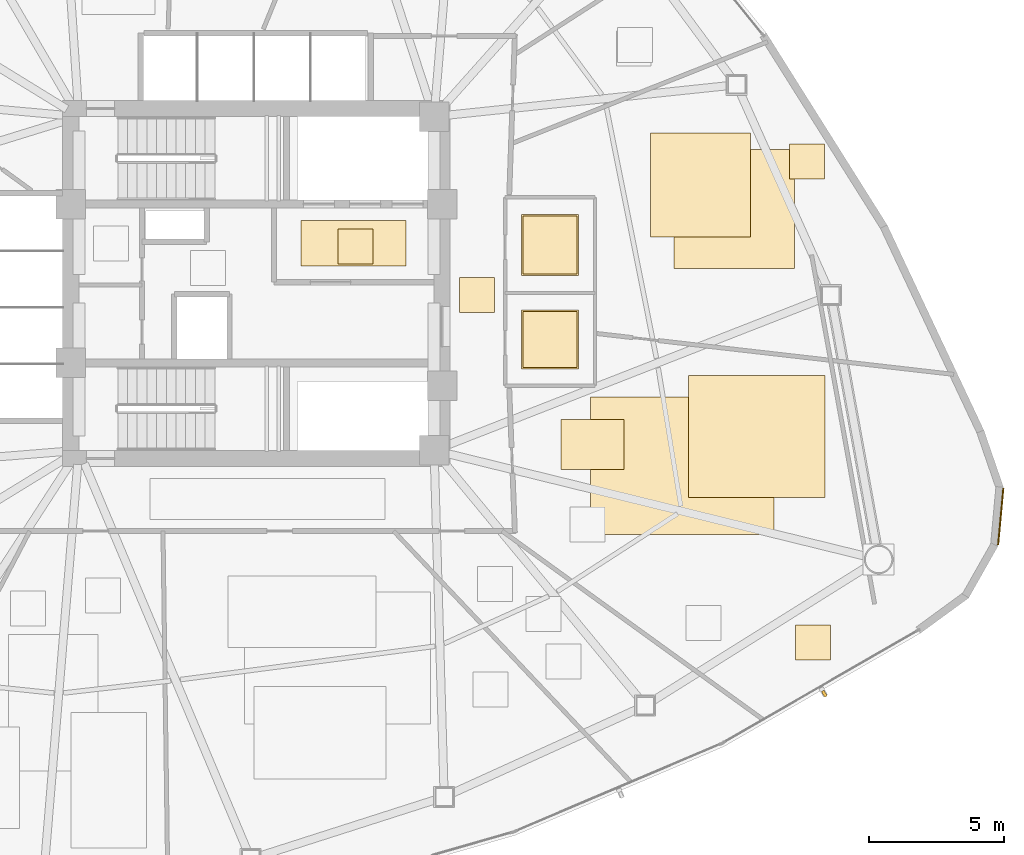
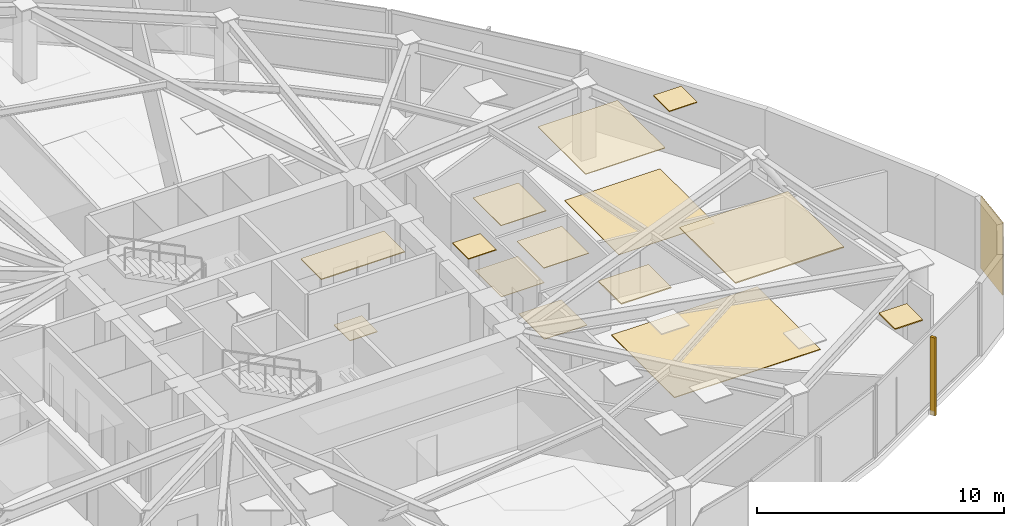
# One storey, part 16 of 17: 15 coverings, 1 shading device.
"""IFC4 building model written with IfcOpenShell, lengths in metres."""

from ifc_helpers import new_model, si_unit, direction, frame, origin, origin_2d, place, context, subcontext, project, spatial, polyline, rectangle, outline, extrude, source, transform, mapped, material, layer, layer_set, type_object, type_shapes, element, save


model = new_model("IFC4")

# Units and contexts
model_context = context("Model", 3, precision=1e-05, world=origin(), true_north=direction((0.0, 1.0)))
body_context = subcontext(model_context, "Body", "Model", "MODEL_VIEW")
ifc_project = project(units=[si_unit("LENGTHUNIT", "METRE"), si_unit("AREAUNIT", "SQUARE_METRE"), si_unit("VOLUMEUNIT", "CUBIC_METRE"), si_unit("PLANEANGLEUNIT", "RADIAN"), si_unit("MASSUNIT", "GRAM", prefix="KILO")], contexts=[model_context])

# Site, building, storey
site_placement = place(None, origin())
site = spatial("IfcSite", under=ifc_project, at=site_placement, CompositionType="ELEMENT")
building_placement = place(site_placement, origin())
building = spatial("IfcBuilding", under=site, at=building_placement, Name="Tavelor Broadcast Tower", CompositionType="ELEMENT")
storey_placement = place(building_placement, frame((0.0, 0.0, 78.300048828125)))
storey = spatial("IfcBuildingStorey", under=building, at=storey_placement, Name="L18", CompositionType="ELEMENT", Elevation=78.300048828125)

# Coverings
ifc_material_1 = material(Name="Copper-Bronze Anodized Aluminium", Category="aluminium")
ifc_layer_1 = layer(ifc_material_1, 0.044921875)
ifc_layer_set_1 = layer_set([ifc_layer_1], Name="Copper-Bronze Anodized Aluminium")
covering_type_1 = type_object("IfcCoveringType", Name="Anodised Bronze Linear Slatted Concourse Ceiling 45 mm", PredefinedType="CEILING", material=ifc_layer_set_1)
covering_1_placement = place(storey_placement, frame((0.0, 0.0, 3.554931640625)))
element("IfcCovering", 1, at=covering_1_placement, inside=storey, type_object=covering_type_1, Name="L18 Suspended Acoustic Ceiling 0733", PredefinedType="CEILING", context=body_context, shape_type="SweptSolid", body=[
    extrude(outline(polyline([(51.659912109375, 45.654296875), (55.55712890625, 45.654296875), (55.55712890625, 47.331787109375), (51.659912109375, 47.331787109375), (51.659912109375, 45.654296875)])), origin(), (0.0, 0.0, 1.0), 0.044921875),
])
covering_2_placement = place(storey_placement, frame((0.0, 0.0, 3.554931640625)))
element("IfcCovering", 2, at=covering_2_placement, inside=storey, type_object=covering_type_1, Name="L18 Suspended Acoustic Ceiling 0736", PredefinedType="CEILING", context=body_context, shape_type="SweptSolid", body=[
    extrude(outline(polyline([(57.5400390625, 43.925048828125), (58.840087890625, 43.925048828125), (58.840087890625, 45.22509765625), (57.5400390625, 45.22509765625), (57.5400390625, 43.925048828125)])), origin(), (0.0, 0.0, 1.0), 0.044921875),
])
ifc_layer_2 = layer(ifc_material_1, 0.050048828125)
ifc_layer_set_2 = layer_set([ifc_layer_2], Name="Copper-Bronze Anodized Aluminium")
covering_type_2 = type_object("IfcCoveringType", Name="Champagne-Bronze Corner Pier Metal Cladding 50 mm", PredefinedType="CLADDING", material=ifc_layer_set_2)
covering_3_placement = place(storey_placement, frame((77.654296875, 36.340087890625, 0.02001953125), z_axis=(0.0, 0.0, 1.0), x_axis=(0.091501618663, 0.995804927575, 0.0)))
element("IfcCovering", 3, at=covering_3_placement, inside=storey, type_object=covering_type_2, Name="L18 Champagne-Bronze Corner Cladding 23", PredefinedType="CLADDING", context=body_context, shape_type="SweptSolid", body=[
    extrude(rectangle(XDim=2.115234375, YDim=0.050048828125, at=origin_2d()), origin(), (0.0, 0.0, 1.0), 3.56005859375),
])
ifc_material_2 = material(Name="Acoustic Nylon Carpet Tile")
ifc_layer_3 = layer(ifc_material_2, 0.02001953125)
ifc_layer_set_3 = layer_set([ifc_layer_3], Name="Acoustic Nylon Carpet Tile")
covering_type_3 = type_object("IfcCoveringType", Name="Heavy-Duty Acoustic Broadcast Carpet Tile 20 mm", PredefinedType="FLOORING", material=ifc_layer_set_3)
covering_4_placement = place(storey_placement, origin())
element("IfcCovering", 4, at=covering_4_placement, inside=storey, type_object=covering_type_3, Name="L18 Broadcast Floor Finish 0269", PredefinedType="FLOORING", context=body_context, shape_type="SweptSolid", body=[
    extrude(outline(polyline([(65.518310546875, 45.54931640625), (69.994873046875, 45.54931640625), (69.994873046875, 49.969482421875), (65.518310546875, 49.969482421875), (65.518310546875, 45.54931640625)])), origin(), (0.0, 0.0, 1.0), 0.02001953125),
])
ifc_material_3 = material(Name="Honed Natural Limestone Tile", Category="masonry")
ifc_layer_4 = layer(ifc_material_3, 0.030029296875)
ifc_layer_set_4 = layer_set([ifc_layer_4], Name="Honed Natural Limestone Tile")
covering_type_4 = type_object("IfcCoveringType", Name="Honed Jerusalem Limestone Concourse Flooring 30 mm", PredefinedType="FLOORING", material=ifc_layer_set_4)
covering_5_placement = place(storey_placement, origin())
element("IfcCovering", 5, at=covering_5_placement, inside=storey, type_object=covering_type_4, Name="L18 Broadcast Floor Finish 0254", PredefinedType="FLOORING", context=body_context, shape_type="SweptSolid", body=[
    extrude(outline(polyline([(53.030029296875, 45.728515625), (54.330078125, 45.728515625), (54.330078125, 47.028564453125), (53.030029296875, 47.028564453125), (53.030029296875, 45.728515625)])), origin(), (0.0, 0.0, 1.0), 0.030029296875),
])
ifc_material_4 = material(Name="Acoustic Hardwood Studio Flooring", Category="wood")
ifc_layer_5 = layer(ifc_material_4, 0.034912109375)
ifc_layer_set_5 = layer_set([ifc_layer_5], Name="Acoustic Hardwood Studio Flooring")
covering_type_5 = type_object("IfcCoveringType", Name="Isolated Studio Acoustic Elastomeric Floor Finish 35 mm", PredefinedType="FLOORING", material=ifc_layer_set_5)
covering_6_placement = place(storey_placement, origin())
element("IfcCovering", 6, at=covering_6_placement, inside=storey, type_object=covering_type_5, Name="L18 Broadcast Floor Finish 0270", PredefinedType="FLOORING", context=body_context, shape_type="SweptSolid", body=[
    extrude(outline(polyline([(62.410888671875, 35.677001953125), (69.23681640625, 35.677001953125), (69.23681640625, 40.78076171875), (62.410888671875, 40.78076171875), (62.410888671875, 35.677001953125)])), origin(), (0.0, 0.0, 1.0), 0.034912109375),
])
ifc_material_5 = material(Name="Acoustic Perforated Timber Baffle", Category="wood")
ifc_layer_6 = layer(ifc_material_5, 0.054931640625)
ifc_layer_set_6 = layer_set([ifc_layer_6], Name="Acoustic Perforated Timber Baffle")
covering_type_6 = type_object("IfcCoveringType", Name="Micro-Perforated Acoustic Baffle Studio Ceiling 55 mm", PredefinedType="CEILING", material=ifc_layer_set_6)
covering_7_placement = place(storey_placement, frame((0.0, 0.0, 3.544921875)))
element("IfcCovering", 7, at=covering_7_placement, inside=storey, type_object=covering_type_6, Name="L18 Suspended Acoustic Ceiling 0775", PredefinedType="CEILING", context=body_context, shape_type="SweptSolid", body=[
    extrude(outline(polyline([(61.310791015625, 38.085205078125), (63.65673828125, 38.085205078125), (63.65673828125, 39.940185546875), (61.310791015625, 39.940185546875), (61.310791015625, 38.085205078125)])), origin(), (0.0, 0.0, 1.0), 0.054931640625),
])
covering_8_placement = place(storey_placement, frame((0.0, 0.0, 3.544921875)))
element("IfcCovering", 8, at=covering_8_placement, inside=storey, type_object=covering_type_6, Name="L18 Suspended Acoustic Ceiling 0776", PredefinedType="CEILING", context=body_context, shape_type="SweptSolid", body=[
    extrude(outline(polyline([(66.0576171875, 37.052978515625), (71.1337890625, 37.052978515625), (71.1337890625, 41.576904296875), (66.0576171875, 41.576904296875), (66.0576171875, 37.052978515625)])), origin(), (0.0, 0.0, 1.0), 0.054931640625),
])
covering_9_placement = place(storey_placement, frame((0.0, 0.0, 3.544921875)))
element("IfcCovering", 9, at=covering_9_placement, inside=storey, type_object=covering_type_6, Name="L18 Suspended Acoustic Ceiling 0778", PredefinedType="CEILING", context=body_context, shape_type="SweptSolid", body=[
    extrude(outline(polyline([(70.023193359375, 31.001953125), (71.3232421875, 31.001953125), (71.3232421875, 32.302001953125), (70.023193359375, 32.302001953125), (70.023193359375, 31.001953125)])), origin(), (0.0, 0.0, 1.0), 0.054931640625),
])
ifc_material_6 = material(Name="Architectural Anodized Aluminium", Category="aluminium")
ifc_layer_7 = layer(ifc_material_6, 0.030029296875)
ifc_layer_set_7 = layer_set([ifc_layer_7], Name="Architectural Anodized Aluminium")
covering_type_7 = type_object("IfcCoveringType", Name="Moisture-Resistant Washroom Ceiling 30 mm", PredefinedType="CEILING", material=ifc_layer_set_7)
covering_10_placement = place(storey_placement, frame((0.0, 0.0, 3.570068359375)))
element("IfcCovering", 10, at=covering_10_placement, inside=storey, type_object=covering_type_7, Name="L18 Suspended Acoustic Ceiling 0739", PredefinedType="CEILING", context=body_context, shape_type="SweptSolid", body=[
    extrude(outline(polyline([(59.85302734375, 41.828369140625), (61.967041015625, 41.828369140625), (61.967041015625, 44.021484375), (59.85302734375, 44.021484375), (59.85302734375, 41.828369140625)])), origin(), (0.0, 0.0, 1.0), 0.02978515625),
])
covering_11_placement = place(storey_placement, frame((0.0, 0.0, 3.570068359375)))
element("IfcCovering", 11, at=covering_11_placement, inside=storey, type_object=covering_type_7, Name="L18 Suspended Acoustic Ceiling 0740", PredefinedType="CEILING", context=body_context, shape_type="SweptSolid", body=[
    extrude(outline(polyline([(59.85302734375, 45.29248046875), (61.967041015625, 45.29248046875), (61.967041015625, 47.5576171875), (59.85302734375, 47.5576171875), (59.85302734375, 45.29248046875)])), origin(), (0.0, 0.0, 1.0), 0.02978515625),
])
ifc_material_7 = material(Name="Slip-Resistant Porcelain Tile")
ifc_layer_8 = layer(ifc_material_7, 0.02490234375)
ifc_layer_set_8 = layer_set([ifc_layer_8], Name="Slip-Resistant Porcelain Tile")
covering_type_8 = type_object("IfcCoveringType", Name="Slip-Resistant Porcelain Wet-Area Floor Tile 25 mm", PredefinedType="FLOORING", material=ifc_layer_set_8)
covering_12_placement = place(storey_placement, origin())
element("IfcCovering", 12, at=covering_12_placement, inside=storey, type_object=covering_type_8, Name="L18 Broadcast Floor Finish 0256", PredefinedType="FLOORING", context=body_context, shape_type="SweptSolid", body=[
    extrude(outline(polyline([(59.91064453125, 41.885986328125), (61.909423828125, 41.885986328125), (61.909423828125, 43.964111328125), (59.91064453125, 43.964111328125), (59.91064453125, 41.885986328125)])), origin(), (0.0, 0.0, 1.0), 0.02490234375),
])
covering_13_placement = place(storey_placement, origin())
element("IfcCovering", 13, at=covering_13_placement, inside=storey, type_object=covering_type_8, Name="L18 Broadcast Floor Finish 0257", PredefinedType="FLOORING", context=body_context, shape_type="SweptSolid", body=[
    extrude(outline(polyline([(59.91064453125, 45.35009765625), (61.909423828125, 45.35009765625), (61.909423828125, 47.5), (59.91064453125, 47.5), (59.91064453125, 45.35009765625)])), origin(), (0.0, 0.0, 1.0), 0.02490234375),
])
ifc_material_8 = material(Name="Acoustic Mineral Fibre Tile")
ifc_layer_9 = layer(ifc_material_8, 0.0400390625)
ifc_layer_set_9 = layer_set([ifc_layer_9], Name="Acoustic Mineral Fibre Tile")
covering_type_9 = type_object("IfcCoveringType", Name="Suspended Acoustic Mineral-Fibre Office Ceiling 40 mm", PredefinedType="CEILING", material=ifc_layer_set_9)
covering_14_placement = place(storey_placement, frame((0.0, 0.0, 3.56005859375)))
element("IfcCovering", 14, at=covering_14_placement, inside=storey, type_object=covering_type_9, Name="L18 Suspended Acoustic Ceiling 0773", PredefinedType="CEILING", context=body_context, shape_type="SweptSolid", body=[
    extrude(outline(polyline([(64.639404296875, 46.7333984375), (68.3623046875, 46.7333984375), (68.3623046875, 50.595947265625), (64.639404296875, 50.595947265625), (64.639404296875, 46.7333984375)])), origin(), (0.0, 0.0, 1.0), 0.039794921875),
])
covering_15_placement = place(storey_placement, frame((0.0, 0.0, 3.56005859375)))
element("IfcCovering", 15, at=covering_15_placement, inside=storey, type_object=covering_type_9, Name="L18 Suspended Acoustic Ceiling 0774", PredefinedType="CEILING", context=body_context, shape_type="SweptSolid", body=[
    extrude(outline(polyline([(69.798583984375, 48.879150390625), (71.0986328125, 48.879150390625), (71.0986328125, 50.17919921875), (69.798583984375, 50.17919921875), (69.798583984375, 48.879150390625)])), origin(), (0.0, 0.0, 1.0), 0.039794921875),
])

# Shading device
ifc_material_9 = material(Name="Kiln-Fired Glazed Terracotta", Category="masonry")
shading_device_type = type_object("IfcShadingDeviceType", Name="Extruded Terracotta Baguette Sun-Screen 110x240", PredefinedType="JALOUSIE", material=ifc_material_9)
shared_shape = source(origin(), body_context, "Body", "SweptSolid", [
    extrude(rectangle(XDim=0.110107421875, YDim=0.239990234375, at=origin_2d()), origin(), (0.0, 0.0, 1.0), 3.840087890625),
])
type_shapes(shading_device_type, [shared_shape])
shading_device_placement = place(storey_placement, frame((71.099853515625, 29.75830078125, -0.26025390625), z_axis=(0.0, 0.0, 1.0), x_axis=(0.866199883945, 0.49969766965, 0.0)))
element("IfcShadingDevice", 16, at=shading_device_placement, inside=storey, type_object=shading_device_type, Name="L18 Terracotta Baguette Fin 176", PredefinedType="JALOUSIE", context=body_context, shape_type="MappedRepresentation", body=[
    mapped(shared_shape, transform((0.0, 0.0, 0.0), scale=1.0)),
])

save(model, "model.ifc")
